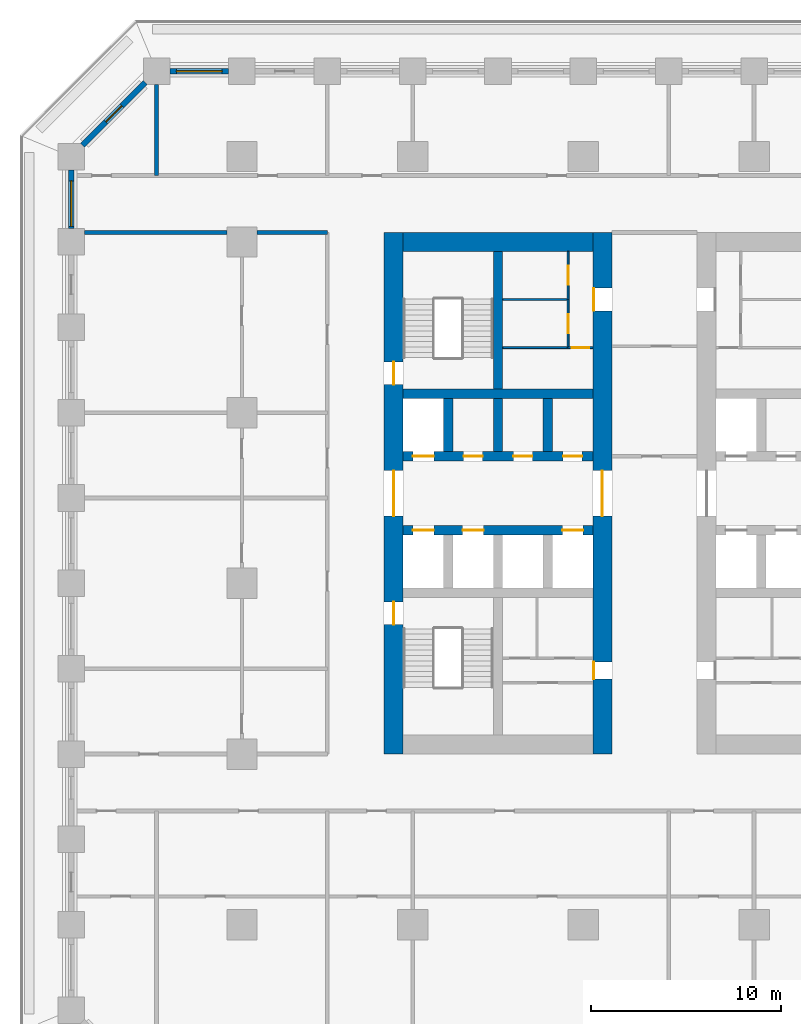
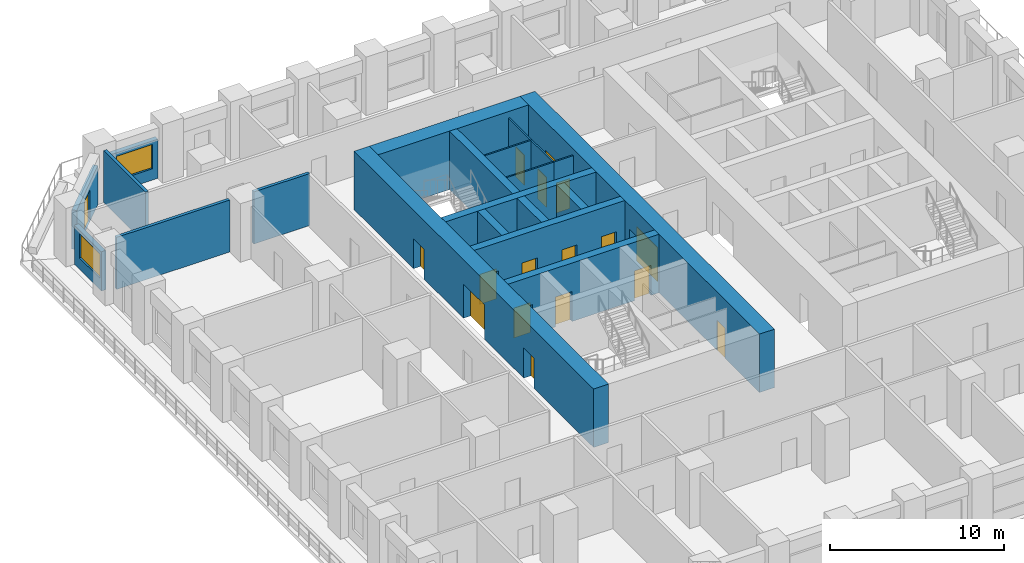
# One storey, part 21 of 30: 21 walls, 17 doors, 2 windows, 19 openings.
"""IFC4 building model written with IfcOpenShell, lengths in metres."""

from ifc_helpers import new_model, si_unit, direction, frame, frame_2d, origin, place, context, subcontext, project, spatial, rectangle, extrude, material, layer, layer_set, type_object, element, fill, save


model = new_model("IFC4")

# Units and contexts
model_context = context("Model", 3, precision=1e-05, world=origin(), true_north=direction((0.0, 1.0)))
body_context = subcontext(model_context, "Body", "Model", "MODEL_VIEW")
ifc_project = project(units=[si_unit("LENGTHUNIT", "METRE"), si_unit("AREAUNIT", "SQUARE_METRE"), si_unit("VOLUMEUNIT", "CUBIC_METRE"), si_unit("PLANEANGLEUNIT", "RADIAN"), si_unit("MASSUNIT", "GRAM", prefix="KILO")], contexts=[model_context])

# Site, building, storey
site_placement = place(None, origin())
site = spatial("IfcSite", under=ifc_project, at=site_placement, CompositionType="ELEMENT")
building_placement = place(site_placement, origin())
building = spatial("IfcBuilding", under=site, at=building_placement, Name="Corbel Stack Research Tower", CompositionType="ELEMENT")
storey_placement = place(building_placement, frame((0.0, 0.0, 19.5)))
storey = spatial("IfcBuildingStorey", under=building, at=storey_placement, Name="L04", CompositionType="ELEMENT", Elevation=19.5)

# Wall, openings, doors
ifc_material_1 = material(Name="Concrete C70/85", Category="concrete")
ifc_layer_1 = layer(ifc_material_1, 1.0)
ifc_layer_set_1 = layer_set([ifc_layer_1], Name="Concrete C70/85")
wall_type_1 = type_object("IfcWallType", Name="CW-1000-70", PredefinedType="SHEAR", material=ifc_layer_set_1)
wall_1_placement = place(storey_placement, frame((-10.0, -9.0, 0.0), z_axis=(0.0, 0.0, 1.0), x_axis=(0.0, 1.0, 0.0)))
wall_1 = element("IfcWall", 1, at=wall_1_placement, inside=storey, type_object=wall_type_1, Name="West core wall, west face L04", PredefinedType="SHEAR", context=body_context, shape_type="SweptSolid", body=[
    extrude(rectangle(XDim=27.5, YDim=1.0, at=frame_2d((13.75, 0.0))), origin(), (0.0, 0.0, 1.0), 4.10009765625),
])
opening_1_placement = place(wall_1_placement, frame((12.550048828125, 0.0, 0.0)))
opening_1 = element("IfcOpeningElement", 2, at=opening_1_placement, cuts=wall_1, Name="Opening CD-W-W", PredefinedType="OPENING", context=body_context, shape_type="SweptSolid", body=[
    extrude(rectangle(XDim=2.39990234375, YDim=2.39990234375, at=frame_2d((1.199951171875, 1.199951171875))), frame((0.0, 0.510009765625, 0.0), z_axis=(0.0, -1.0, 0.0), x_axis=(1.0, 0.0, 0.0)), (0.0, 0.0, 1.0), 1.02001953125),
])
opening_2_placement = place(wall_1_placement, frame((6.824951171875, 0.0, 0.0)))
opening_2 = element("IfcOpeningElement", 3, at=opening_2_placement, cuts=wall_1, Name="Opening SD-ST-W1", PredefinedType="OPENING", context=body_context, shape_type="SweptSolid", body=[
    extrude(rectangle(XDim=1.199951171875, YDim=2.10009765625, at=frame_2d((0.60009765625, 1.050048828125))), frame((0.0, 0.510009765625, 0.0), z_axis=(0.0, -1.0, 0.0), x_axis=(1.0, 0.0, 0.0)), (0.0, 0.0, 1.0), 1.02001953125),
])
opening_3_placement = place(wall_1_placement, frame((19.47509765625, 0.0, 0.0)))
opening_3 = element("IfcOpeningElement", 4, at=opening_3_placement, cuts=wall_1, Name="Opening SD-ST-W2", PredefinedType="OPENING", context=body_context, shape_type="SweptSolid", body=[
    extrude(rectangle(XDim=1.199951171875, YDim=2.10009765625, at=frame_2d((0.60009765625, 1.050048828125))), frame((0.0, 0.510009765625, 0.0), z_axis=(0.0, -1.0, 0.0), x_axis=(1.0, 0.0, 0.0)), (0.0, 0.0, 1.0), 1.02001953125),
])
ifc_material_2 = material(Name="Painted steel fire door", Category="steel")
door_type_1 = type_object("IfcDoorType", Name="Lobby door pair 2400 x 2400 FD30S", OperationType="DOUBLE_DOOR_DOUBLE_SWING", PredefinedType="DOOR", material=ifc_material_2)
door_1_placement = place(opening_1_placement, origin())
door_1 = element("IfcDoor", 5, at=door_1_placement, inside=storey, type_object=door_type_1, Name="Lift lobby door W core W", OperationType="DOUBLE_DOOR_DOUBLE_SWING", OverallHeight=2.39990234375, OverallWidth=2.39990234375, PredefinedType="DOOR", context=body_context, shape_type="SweptSolid", body=[
    extrude(rectangle(XDim=2.39990234375, YDim=2.39990234375, at=frame_2d((1.199951171875, 1.199951171875))), frame((0.0, 0.02490234375, 0.0), z_axis=(0.0, -1.0, 0.0), x_axis=(1.0, 0.0, 0.0)), (0.0, 0.0, 1.0), 0.050048828125),
])
fill(opening_1, door_1)
ifc_material_3 = material(Name="Painted steel fire door", Category="steel")
door_type_2 = type_object("IfcDoorType", Name="Stair door 1200 x 2100 FD90 left hand", OperationType="SINGLE_SWING_LEFT", PredefinedType="DOOR", material=ifc_material_3)
door_2_placement = place(opening_2_placement, origin())
door_2 = element("IfcDoor", 6, at=door_2_placement, inside=storey, type_object=door_type_2, Name="Stair door ST-W1", OperationType="SINGLE_SWING_LEFT", OverallHeight=2.10009765625, OverallWidth=1.199951171875, PredefinedType="DOOR", context=body_context, shape_type="SweptSolid", body=[
    extrude(rectangle(XDim=1.199951171875, YDim=2.10009765625, at=frame_2d((0.60009765625, 1.050048828125))), frame((0.0, 0.02490234375, 0.0), z_axis=(0.0, -1.0, 0.0), x_axis=(1.0, 0.0, 0.0)), (0.0, 0.0, 1.0), 0.050048828125),
])
fill(opening_2, door_2)
door_3_placement = place(opening_3_placement, origin())
door_3 = element("IfcDoor", 7, at=door_3_placement, inside=storey, type_object=door_type_2, Name="Stair door ST-W2", OperationType="SINGLE_SWING_LEFT", OverallHeight=2.10009765625, OverallWidth=1.199951171875, PredefinedType="DOOR", context=body_context, shape_type="SweptSolid", body=[
    extrude(rectangle(XDim=1.199951171875, YDim=2.10009765625, at=frame_2d((0.60009765625, 1.050048828125))), frame((0.0, 0.02490234375, 0.0), z_axis=(0.0, -1.0, 0.0), x_axis=(1.0, 0.0, 0.0)), (0.0, 0.0, 1.0), 0.050048828125),
])
fill(opening_3, door_3)

wall_2_placement = place(storey_placement, frame((1.0, -9.0, 0.0), z_axis=(0.0, 0.0, 1.0), x_axis=(0.0, 1.0, 0.0)))
wall_2 = element("IfcWall", 8, at=wall_2_placement, inside=storey, type_object=wall_type_1, Name="West core wall, east face L04", PredefinedType="SHEAR", context=body_context, shape_type="SweptSolid", body=[
    extrude(rectangle(XDim=27.5, YDim=1.0, at=frame_2d((13.75, 0.0))), origin(), (0.0, 0.0, 1.0), 4.10009765625),
])
opening_4_placement = place(wall_2_placement, frame((12.550048828125, 0.0, 0.0)))
opening_4 = element("IfcOpeningElement", 9, at=opening_4_placement, cuts=wall_2, Name="Opening CD-W-E", PredefinedType="OPENING", context=body_context, shape_type="SweptSolid", body=[
    extrude(rectangle(XDim=2.39990234375, YDim=2.39990234375, at=frame_2d((1.199951171875, 1.199951171875))), frame((0.0, 0.510009765625, 0.0), z_axis=(0.0, -1.0, 0.0), x_axis=(1.0, 0.0, 0.0)), (0.0, 0.0, 1.0), 1.02001953125),
])
opening_5_placement = place(wall_2_placement, frame((3.955078125, 0.0, 0.0)))
opening_5 = element("IfcOpeningElement", 10, at=opening_5_placement, cuts=wall_2, Name="Opening CR-W24-W1-905", PredefinedType="OPENING", context=body_context, shape_type="SweptSolid", body=[
    extrude(rectangle(XDim=0.905029296875, YDim=2.10009765625, at=frame_2d((0.45263671875, 1.050048828125))), frame((0.0, 0.510009765625, 0.0), z_axis=(0.0, -1.0, 0.0), x_axis=(1.0, 0.0, 0.0)), (0.0, 0.0, 1.0), 1.02001953125),
])
opening_6_placement = place(wall_2_placement, frame((23.362548828125, 0.0, 0.0)))
opening_6 = element("IfcOpeningElement", 11, at=opening_6_placement, cuts=wall_2, Name="Opening CR-W24-R2-1200", PredefinedType="OPENING", context=body_context, shape_type="SweptSolid", body=[
    extrude(rectangle(XDim=1.199951171875, YDim=2.10009765625, at=frame_2d((0.60009765625, 1.050048828125))), frame((0.0, 0.510009765625, 0.0), z_axis=(0.0, -1.0, 0.0), x_axis=(1.0, 0.0, 0.0)), (0.0, 0.0, 1.0), 1.02001953125),
])
door_4_placement = place(opening_4_placement, origin())
door_4 = element("IfcDoor", 12, at=door_4_placement, inside=storey, type_object=door_type_1, Name="Lift lobby door W core E", OperationType="DOUBLE_DOOR_DOUBLE_SWING", OverallHeight=2.39990234375, OverallWidth=2.39990234375, PredefinedType="DOOR", context=body_context, shape_type="SweptSolid", body=[
    extrude(rectangle(XDim=2.39990234375, YDim=2.39990234375, at=frame_2d((1.199951171875, 1.199951171875))), frame((0.0, 0.02490234375, 0.0), z_axis=(0.0, -1.0, 0.0), x_axis=(1.0, 0.0, 0.0)), (0.0, 0.0, 1.0), 0.050048828125),
])
fill(opening_4, door_4)
ifc_material_4 = material(Name="Painted steel door", Category="steel")
door_type_3 = type_object("IfcDoorType", Name="Service door 1200 x 2100 FD30 right hand", OperationType="SINGLE_SWING_RIGHT", PredefinedType="DOOR", material=ifc_material_4)
door_5_placement = place(opening_6_placement, origin())
door_5 = element("IfcDoor", 13, at=door_5_placement, inside=storey, type_object=door_type_3, Name="Service passage door W core", OperationType="SINGLE_SWING_RIGHT", OverallHeight=2.10009765625, OverallWidth=1.199951171875, PredefinedType="DOOR", context=body_context, shape_type="SweptSolid", body=[
    extrude(rectangle(XDim=1.199951171875, YDim=2.10009765625, at=frame_2d((0.60009765625, 1.050048828125))), frame((0.0, 0.47509765625, 0.0), z_axis=(0.0, -1.0, 0.0), x_axis=(1.0, 0.0, 0.0)), (0.0, 0.0, 1.0), 0.050048828125),
])
fill(opening_6, door_5)
ifc_material_5 = material(Name="Painted timber door", Category="wood")
door_type_4 = type_object("IfcDoorType", Name="WC door 905 x 2100 left hand", OperationType="SINGLE_SWING_LEFT", PredefinedType="DOOR", material=ifc_material_5)
door_6_placement = place(opening_5_placement, origin())
door_6 = element("IfcDoor", 14, at=door_6_placement, inside=storey, type_object=door_type_4, Name="WC lobby door W core", OperationType="SINGLE_SWING_LEFT", OverallHeight=2.10009765625, OverallWidth=0.905029296875, PredefinedType="DOOR", context=body_context, shape_type="SweptSolid", body=[
    extrude(rectangle(XDim=0.905029296875, YDim=2.10009765625, at=frame_2d((0.45263671875, 1.050048828125))), frame((0.0, 0.47509765625, 0.0), z_axis=(0.0, -1.0, 0.0), x_axis=(1.0, 0.0, 0.0)), (0.0, 0.0, 1.0), 0.050048828125),
])
fill(opening_5, door_6)

# Wall
wall_3_placement = place(storey_placement, frame((-9.5, 18.0, 0.0), z_axis=(0.0, 0.0, 1.0), x_axis=(1.0, 0.0, 0.0)))
element("IfcWall", 15, at=wall_3_placement, inside=storey, type_object=wall_type_1, Name="West core wall, north end L04", PredefinedType="SHEAR", context=body_context, shape_type="SweptSolid", body=[
    extrude(rectangle(XDim=10.0, YDim=1.0, at=frame_2d((5.0, 0.0))), origin(), (0.0, 0.0, 1.0), 4.10009765625),
])

# Wall, openings, doors
ifc_material_6 = material(Name="Concrete C70/85", Category="concrete")
ifc_layer_2 = layer(ifc_material_6, 0.5)
ifc_layer_set_2 = layer_set([ifc_layer_2], Name="Concrete C70/85")
wall_type_2 = type_object("IfcWallType", Name="CW-500-70", PredefinedType="SHEAR", material=ifc_layer_set_2)
wall_4_placement = place(storey_placement, frame((-9.5, 2.800048828125, 0.0), z_axis=(0.0, 0.0, 1.0), x_axis=(1.0, 0.0, 0.0)))
wall_4 = element("IfcWall", 16, at=wall_4_placement, inside=storey, type_object=wall_type_2, Name="West core wall, lobby south L04", PredefinedType="SHEAR", context=body_context, shape_type="SweptSolid", body=[
    extrude(rectangle(XDim=10.0, YDim=0.5, at=frame_2d((5.0, 0.0))), origin(), (0.0, 0.0, 1.0), 4.10009765625),
])
opening_7_placement = place(wall_4_placement, frame((0.512451171875, 0.0, 0.0)))
opening_7 = element("IfcOpeningElement", 17, at=opening_7_placement, cuts=wall_4, Name="Opening LD-FS1", PredefinedType="OPENING", context=body_context, shape_type="SweptSolid", body=[
    extrude(rectangle(XDim=1.10009765625, YDim=2.10009765625, at=frame_2d((0.550048828125, 1.050048828125))), frame((0.0, 0.260009765625, 0.0), z_axis=(0.0, -1.0, 0.0), x_axis=(1.0, 0.0, 0.0)), (0.0, 0.0, 1.0), 0.52001953125),
])
opening_8_placement = place(wall_4_placement, frame((3.137451171875, 0.0, 0.0)))
opening_8 = element("IfcOpeningElement", 18, at=opening_8_placement, cuts=wall_4, Name="Opening LD-GL1", PredefinedType="OPENING", context=body_context, shape_type="SweptSolid", body=[
    extrude(rectangle(XDim=1.10009765625, YDim=2.10009765625, at=frame_2d((0.550048828125, 1.050048828125))), frame((0.0, 0.260009765625, 0.0), z_axis=(0.0, -1.0, 0.0), x_axis=(1.0, 0.0, 0.0)), (0.0, 0.0, 1.0), 0.52001953125),
])
opening_9_placement = place(wall_4_placement, frame((8.387451171875, 0.0, 0.0)))
opening_9 = element("IfcOpeningElement", 19, at=opening_9_placement, cuts=wall_4, Name="Opening LD-LR1", PredefinedType="OPENING", context=body_context, shape_type="SweptSolid", body=[
    extrude(rectangle(XDim=1.10009765625, YDim=2.10009765625, at=frame_2d((0.550048828125, 1.050048828125))), frame((0.0, 0.260009765625, 0.0), z_axis=(0.0, -1.0, 0.0), x_axis=(1.0, 0.0, 0.0)), (0.0, 0.0, 1.0), 0.52001953125),
])
ifc_material_7 = material(Name="Stainless steel landing door", Category="steel")
door_type_5 = type_object("IfcDoorType", Name="Lift landing door 1100 x 2100", OperationType="DOUBLE_DOOR_SLIDING", PredefinedType="DOOR", material=ifc_material_7)
door_7_placement = place(opening_7_placement, origin())
door_7 = element("IfcDoor", 20, at=door_7_placement, inside=storey, type_object=door_type_5, Name="Landing door FS1", OperationType="DOUBLE_DOOR_SLIDING", OverallHeight=2.10009765625, OverallWidth=1.10009765625, PredefinedType="DOOR", context=body_context, shape_type="SweptSolid", body=[
    extrude(rectangle(XDim=1.10009765625, YDim=2.10009765625, at=frame_2d((0.550048828125, 1.050048828125))), frame((0.0, 0.02490234375, 0.0), z_axis=(0.0, -1.0, 0.0), x_axis=(1.0, 0.0, 0.0)), (0.0, 0.0, 1.0), 0.050048828125),
])
fill(opening_7, door_7)
door_8_placement = place(opening_8_placement, origin())
door_8 = element("IfcDoor", 21, at=door_8_placement, inside=storey, type_object=door_type_5, Name="Landing door GL1", OperationType="DOUBLE_DOOR_SLIDING", OverallHeight=2.10009765625, OverallWidth=1.10009765625, PredefinedType="DOOR", context=body_context, shape_type="SweptSolid", body=[
    extrude(rectangle(XDim=1.10009765625, YDim=2.10009765625, at=frame_2d((0.550048828125, 1.050048828125))), frame((0.0, 0.02490234375, 0.0), z_axis=(0.0, -1.0, 0.0), x_axis=(1.0, 0.0, 0.0)), (0.0, 0.0, 1.0), 0.050048828125),
])
fill(opening_8, door_8)
door_9_placement = place(opening_9_placement, origin())
door_9 = element("IfcDoor", 22, at=door_9_placement, inside=storey, type_object=door_type_5, Name="Landing door LR1", OperationType="DOUBLE_DOOR_SLIDING", OverallHeight=2.10009765625, OverallWidth=1.10009765625, PredefinedType="DOOR", context=body_context, shape_type="SweptSolid", body=[
    extrude(rectangle(XDim=1.10009765625, YDim=2.10009765625, at=frame_2d((0.550048828125, 1.050048828125))), frame((0.0, 0.02490234375, 0.0), z_axis=(0.0, -1.0, 0.0), x_axis=(1.0, 0.0, 0.0)), (0.0, 0.0, 1.0), 0.050048828125),
])
fill(opening_9, door_9)

wall_5_placement = place(storey_placement, frame((-9.5, 6.699951171875, 0.0), z_axis=(0.0, 0.0, 1.0), x_axis=(1.0, 0.0, 0.0)))
wall_5 = element("IfcWall", 23, at=wall_5_placement, inside=storey, type_object=wall_type_2, Name="West core wall, lobby north L04", PredefinedType="SHEAR", context=body_context, shape_type="SweptSolid", body=[
    extrude(rectangle(XDim=10.0, YDim=0.5, at=frame_2d((5.0, 0.0))), origin(), (0.0, 0.0, 1.0), 4.10009765625),
])
opening_10_placement = place(wall_5_placement, frame((0.512451171875, 0.0, 0.0)))
opening_10 = element("IfcOpeningElement", 24, at=opening_10_placement, cuts=wall_5, Name="Opening LD-LR2", PredefinedType="OPENING", context=body_context, shape_type="SweptSolid", body=[
    extrude(rectangle(XDim=1.10009765625, YDim=2.10009765625, at=frame_2d((0.550048828125, 1.050048828125))), frame((0.0, 0.260009765625, 0.0), z_axis=(0.0, -1.0, 0.0), x_axis=(1.0, 0.0, 0.0)), (0.0, 0.0, 1.0), 0.52001953125),
])
opening_11_placement = place(wall_5_placement, frame((3.1875, 0.0, 0.0)))
opening_11 = element("IfcOpeningElement", 25, at=opening_11_placement, cuts=wall_5, Name="Opening CR-W24-N2", PredefinedType="OPENING", context=body_context, shape_type="SweptSolid", body=[
    extrude(rectangle(XDim=1.0, YDim=2.10009765625, at=frame_2d((0.5, 1.050048828125))), frame((0.0, 0.260009765625, 0.0), z_axis=(0.0, -1.0, 0.0), x_axis=(1.0, 0.0, 0.0)), (0.0, 0.0, 1.0), 0.52001953125),
])
opening_12_placement = place(wall_5_placement, frame((5.8125, 0.0, 0.0)))
opening_12 = element("IfcOpeningElement", 26, at=opening_12_placement, cuts=wall_5, Name="Opening CR-W24-N3", PredefinedType="OPENING", context=body_context, shape_type="SweptSolid", body=[
    extrude(rectangle(XDim=1.0, YDim=2.10009765625, at=frame_2d((0.5, 1.050048828125))), frame((0.0, 0.260009765625, 0.0), z_axis=(0.0, -1.0, 0.0), x_axis=(1.0, 0.0, 0.0)), (0.0, 0.0, 1.0), 0.52001953125),
])
opening_13_placement = place(wall_5_placement, frame((8.4375, 0.0, 0.0)))
opening_13 = element("IfcOpeningElement", 27, at=opening_13_placement, cuts=wall_5, Name="Opening CR-W24-N4", PredefinedType="OPENING", context=body_context, shape_type="SweptSolid", body=[
    extrude(rectangle(XDim=1.0, YDim=2.10009765625, at=frame_2d((0.5, 1.050048828125))), frame((0.0, 0.260009765625, 0.0), z_axis=(0.0, -1.0, 0.0), x_axis=(1.0, 0.0, 0.0)), (0.0, 0.0, 1.0), 0.52001953125),
])
door_10_placement = place(opening_10_placement, origin())
door_10 = element("IfcDoor", 28, at=door_10_placement, inside=storey, type_object=door_type_5, Name="Landing door LR2", OperationType="DOUBLE_DOOR_SLIDING", OverallHeight=2.10009765625, OverallWidth=1.10009765625, PredefinedType="DOOR", context=body_context, shape_type="SweptSolid", body=[
    extrude(rectangle(XDim=1.10009765625, YDim=2.10009765625, at=frame_2d((0.550048828125, 1.050048828125))), frame((0.0, 0.02490234375, 0.0), z_axis=(0.0, -1.0, 0.0), x_axis=(1.0, 0.0, 0.0)), (0.0, 0.0, 1.0), 0.050048828125),
])
fill(opening_10, door_10)
ifc_material_8 = material(Name="Painted steel door", Category="steel")
door_type_6 = type_object("IfcDoorType", Name="Service door 1000 x 2100 FD60 left hand", OperationType="SINGLE_SWING_LEFT", PredefinedType="DOOR", material=ifc_material_8)
door_11_placement = place(opening_12_placement, origin())
door_11 = element("IfcDoor", 29, at=door_11_placement, inside=storey, type_object=door_type_6, Name="Electrical room door W core", OperationType="SINGLE_SWING_LEFT", OverallHeight=2.10009765625, OverallWidth=1.0, PredefinedType="DOOR", context=body_context, shape_type="SweptSolid", body=[
    extrude(rectangle(XDim=1.0, YDim=2.10009765625, at=frame_2d((0.5, 1.050048828125))), frame((0.0, 0.02490234375, 0.0), z_axis=(0.0, -1.0, 0.0), x_axis=(1.0, 0.0, 0.0)), (0.0, 0.0, 1.0), 0.050048828125),
])
fill(opening_12, door_11)
ifc_material_9 = material(Name="Painted steel door", Category="steel")
door_type_7 = type_object("IfcDoorType", Name="Service door 1000 x 2100 FD60 right hand", OperationType="SINGLE_SWING_RIGHT", PredefinedType="DOOR", material=ifc_material_9)
door_12_placement = place(opening_11_placement, origin())
door_12 = element("IfcDoor", 30, at=door_12_placement, inside=storey, type_object=door_type_7, Name="Records store door W core", OperationType="SINGLE_SWING_RIGHT", OverallHeight=2.10009765625, OverallWidth=1.0, PredefinedType="DOOR", context=body_context, shape_type="SweptSolid", body=[
    extrude(rectangle(XDim=1.0, YDim=2.10009765625, at=frame_2d((0.5, 1.050048828125))), frame((0.0, 0.02490234375, 0.0), z_axis=(0.0, -1.0, 0.0), x_axis=(1.0, 0.0, 0.0)), (0.0, 0.0, 1.0), 0.050048828125),
])
fill(opening_11, door_12)
door_13_placement = place(opening_13_placement, origin())
door_13 = element("IfcDoor", 31, at=door_13_placement, inside=storey, type_object=door_type_7, Name="Pantry door W core", OperationType="SINGLE_SWING_RIGHT", OverallHeight=2.10009765625, OverallWidth=1.0, PredefinedType="DOOR", context=body_context, shape_type="SweptSolid", body=[
    extrude(rectangle(XDim=1.0, YDim=2.10009765625, at=frame_2d((0.5, 1.050048828125))), frame((0.0, 0.02490234375, 0.0), z_axis=(0.0, -1.0, 0.0), x_axis=(1.0, 0.0, 0.0)), (0.0, 0.0, 1.0), 0.050048828125),
])
fill(opening_13, door_13)

# Walls
wall_6_placement = place(storey_placement, frame((-9.5, 10.0, 0.0), z_axis=(0.0, 0.0, 1.0), x_axis=(1.0, 0.0, 0.0)))
element("IfcWall", 32, at=wall_6_placement, inside=storey, type_object=wall_type_2, Name="West core wall, north row back L04", PredefinedType="SHEAR", context=body_context, shape_type="SweptSolid", body=[
    extrude(rectangle(XDim=10.0, YDim=0.5, at=frame_2d((5.0, 0.0))), origin(), (0.0, 0.0, 1.0), 4.10009765625),
])
for number, where, z_axis, x_axis, name in (
    (33, (-7.125, 6.949951171875, 0.0), (0.0, 0.0, 1.0), (0.0, 1.0, 0.0), "West core wall, north shaft 1 L04"),
    (34, (-4.5, 6.949951171875, 0.0), (0.0, 0.0, 1.0), (0.0, 1.0, 0.0), "West core wall, north shaft 2 L04"),
    (35, (-1.875, 6.949951171875, 0.0), (0.0, 0.0, 1.0), (0.0, 1.0, 0.0), "West core wall, north shaft 3 L04"),
):
    element("IfcWall", number, at=place(storey_placement, frame(where, z_axis=z_axis, x_axis=x_axis)), inside=storey, type_object=wall_type_2, Name=name, PredefinedType="SHEAR", context=body_context, shape_type="SweptSolid", body=[
        extrude(rectangle(XDim=2.800048828125, YDim=0.5, at=frame_2d((1.39990234375, 0.0))), origin(), (0.0, 0.0, 1.0), 4.10009765625),
    ])
wall_7_placement = place(storey_placement, frame((-4.5, 10.25, 0.0), z_axis=(0.0, 0.0, 1.0), x_axis=(0.0, 1.0, 0.0)))
element("IfcWall", 36, at=wall_7_placement, inside=storey, type_object=wall_type_2, Name="West core wall, north stair and riser L04", PredefinedType="SHEAR", context=body_context, shape_type="SweptSolid", body=[
    extrude(rectangle(XDim=7.25, YDim=0.5, at=frame_2d((3.625, 0.0))), origin(), (0.0, 0.0, 1.0), 4.10009765625),
])

# Wall, opening, door
ifc_material_10 = material(Name="Gypsum board")
ifc_layer_3 = layer(ifc_material_10, 0.10009765625)
ifc_layer_set_3 = layer_set([ifc_layer_3], Name="Gypsum board")
wall_type_3 = type_object("IfcWallType", Name="Core partition 100", PredefinedType="PARTITIONING", material=ifc_layer_set_3)
wall_8_placement = place(storey_placement, frame((-0.800048828125, 12.425048828125, 0.0), z_axis=(0.0, 0.0, 1.0), x_axis=(1.0, 0.0, 0.0)))
wall_8 = element("IfcWall", 37, at=wall_8_placement, inside=storey, type_object=wall_type_3, Name="Core partition W", PredefinedType="PARTITIONING", context=body_context, shape_type="SweptSolid", body=[
    extrude(rectangle(XDim=1.300048828125, YDim=0.10009765625, at=frame_2d((0.64990234375, 0.0))), origin(), (0.0, 0.0, 1.0), 3.64990234375),
])
opening_14_placement = place(wall_8_placement, frame((0.199951171875, 0.0, 0.0)))
opening_14 = element("IfcOpeningElement", 38, at=opening_14_placement, cuts=wall_8, Name="Opening CR-W24-R1-900", PredefinedType="OPENING", context=body_context, shape_type="SweptSolid", body=[
    extrude(rectangle(XDim=0.89990234375, YDim=2.10009765625, at=frame_2d((0.449951171875, 1.050048828125))), frame((0.0, 0.06005859375, 0.0), z_axis=(0.0, -1.0, 0.0), x_axis=(1.0, 0.0, 0.0)), (0.0, 0.0, 1.0), 0.1201171875),
])
ifc_material_11 = material(Name="Painted steel door", Category="steel")
door_type_8 = type_object("IfcDoorType", Name="Riser door 900 x 2100 FD60 left hand", OperationType="SINGLE_SWING_LEFT", PredefinedType="DOOR", material=ifc_material_11)
door_14_placement = place(opening_14_placement, origin())
door_14 = element("IfcDoor", 39, at=door_14_placement, inside=storey, type_object=door_type_8, Name="Electrical riser door W core", OperationType="SINGLE_SWING_LEFT", OverallHeight=2.10009765625, OverallWidth=0.89990234375, PredefinedType="DOOR", context=body_context, shape_type="SweptSolid", body=[
    extrude(rectangle(XDim=0.89990234375, YDim=2.10009765625, at=frame_2d((0.449951171875, 1.050048828125))), frame((0.0, 0.02490234375, 0.0), z_axis=(0.0, -1.0, 0.0), x_axis=(1.0, 0.0, 0.0)), (0.0, 0.0, 1.0), 0.050048828125),
])
fill(opening_14, door_14)

# Wall
wall_9_placement = place(storey_placement, frame((-4.25, 12.425048828125, 0.0), z_axis=(0.0, 0.0, 1.0), x_axis=(1.0, 0.0, 0.0)))
element("IfcWall", 40, at=wall_9_placement, inside=storey, type_object=wall_type_3, Name="Core partition W", PredefinedType="PARTITIONING", context=body_context, shape_type="SweptSolid", body=[
    extrude(rectangle(XDim=3.449951171875, YDim=0.10009765625, at=frame_2d((1.72509765625, 0.0))), origin(), (0.0, 0.0, 1.0), 3.64990234375),
])

# Wall, opening, door
wall_10_placement = place(storey_placement, frame((-0.800048828125, 12.425048828125, 0.0), z_axis=(0.0, 0.0, 1.0), x_axis=(0.0, 1.0, 0.0)))
wall_10 = element("IfcWall", 41, at=wall_10_placement, inside=storey, type_object=wall_type_3, Name="Core partition W", PredefinedType="PARTITIONING", context=body_context, shape_type="SweptSolid", body=[
    extrude(rectangle(XDim=2.537353515625, YDim=0.10009765625, at=frame_2d((1.2685546875, 0.0))), origin(), (0.0, 0.0, 1.0), 3.64990234375),
])
opening_15_placement = place(wall_10_placement, frame((0.768798828125, 0.0, 0.0)))
opening_15 = element("IfcOpeningElement", 42, at=opening_15_placement, cuts=wall_10, Name="Opening CR-W24-R3-1000", PredefinedType="OPENING", context=body_context, shape_type="SweptSolid", body=[
    extrude(rectangle(XDim=1.0, YDim=2.10009765625, at=frame_2d((0.5, 1.050048828125))), frame((0.0, 0.06005859375, 0.0), z_axis=(0.0, -1.0, 0.0), x_axis=(1.0, 0.0, 0.0)), (0.0, 0.0, 1.0), 0.1201171875),
])
ifc_material_12 = material(Name="Painted steel door", Category="steel")
door_type_9 = type_object("IfcDoorType", Name="Service door 1000 x 2100 FD30 left hand", OperationType="SINGLE_SWING_LEFT", PredefinedType="DOOR", material=ifc_material_12)
door_15_placement = place(opening_15_placement, origin())
door_15 = element("IfcDoor", 43, at=door_15_placement, inside=storey, type_object=door_type_9, Name="Pantry door W core", OperationType="SINGLE_SWING_LEFT", OverallHeight=2.10009765625, OverallWidth=1.0, PredefinedType="DOOR", context=body_context, shape_type="SweptSolid", body=[
    extrude(rectangle(XDim=1.0, YDim=2.10009765625, at=frame_2d((0.5, 1.050048828125))), frame((0.0, 0.02490234375, 0.0), z_axis=(0.0, -1.0, 0.0), x_axis=(1.0, 0.0, 0.0)), (0.0, 0.0, 1.0), 0.050048828125),
])
fill(opening_15, door_15)

wall_11_placement = place(storey_placement, frame((-0.800048828125, 14.96240234375, 0.0), z_axis=(0.0, 0.0, 1.0), x_axis=(0.0, 1.0, 0.0)))
wall_11 = element("IfcWall", 44, at=wall_11_placement, inside=storey, type_object=wall_type_3, Name="Core partition W", PredefinedType="PARTITIONING", context=body_context, shape_type="SweptSolid", body=[
    extrude(rectangle(XDim=2.53759765625, YDim=0.10009765625, at=frame_2d((1.268798828125, 0.0))), origin(), (0.0, 0.0, 1.0), 3.64990234375),
])
opening_16_placement = place(wall_11_placement, frame((0.768798828125, 0.0, 0.0)))
opening_16 = element("IfcOpeningElement", 45, at=opening_16_placement, cuts=wall_11, Name="Opening CR-W24-R4-1000", PredefinedType="OPENING", context=body_context, shape_type="SweptSolid", body=[
    extrude(rectangle(XDim=1.0, YDim=2.10009765625, at=frame_2d((0.5, 1.050048828125))), frame((0.0, 0.06005859375, 0.0), z_axis=(0.0, -1.0, 0.0), x_axis=(1.0, 0.0, 0.0)), (0.0, 0.0, 1.0), 0.1201171875),
])
ifc_material_13 = material(Name="Painted steel door", Category="steel")
door_type_10 = type_object("IfcDoorType", Name="Service door 1000 x 2100 FD30 right hand", OperationType="SINGLE_SWING_RIGHT", PredefinedType="DOOR", material=ifc_material_13)
door_16_placement = place(opening_16_placement, origin())
door_16 = element("IfcDoor", 46, at=door_16_placement, inside=storey, type_object=door_type_10, Name="Copy and supply store door W core", OperationType="SINGLE_SWING_RIGHT", OverallHeight=2.10009765625, OverallWidth=1.0, PredefinedType="DOOR", context=body_context, shape_type="SweptSolid", body=[
    extrude(rectangle(XDim=1.0, YDim=2.10009765625, at=frame_2d((0.5, 1.050048828125))), frame((0.0, 0.02490234375, 0.0), z_axis=(0.0, -1.0, 0.0), x_axis=(1.0, 0.0, 0.0)), (0.0, 0.0, 1.0), 0.050048828125),
])
fill(opening_16, door_16)

# Walls
wall_12_placement = place(storey_placement, frame((-4.25, 14.96240234375, 0.0), z_axis=(0.0, 0.0, 1.0), x_axis=(1.0, 0.0, 0.0)))
element("IfcWall", 47, at=wall_12_placement, inside=storey, type_object=wall_type_3, Name="Core partition W", PredefinedType="PARTITIONING", context=body_context, shape_type="SweptSolid", body=[
    extrude(rectangle(XDim=3.449951171875, YDim=0.10009765625, at=frame_2d((1.72509765625, 0.0))), origin(), (0.0, 0.0, 1.0), 3.64990234375),
])
ifc_material_14 = material(Name="Fire-rated gypsum board partition on steel studs", Category="steel")
ifc_layer_4 = layer(ifc_material_14, 0.199951171875)
ifc_layer_set_4 = layer_set([ifc_layer_4], Name="Fire-rated gypsum board partition on steel studs")
wall_type_4 = type_object("IfcWallType", Name="Fire-rated partition 200 EI 60", PredefinedType="PARTITIONING", material=ifc_layer_set_4)
wall_13_placement = place(storey_placement, frame((-22.5, 21.5, 0.0), z_axis=(0.0, 0.0, 1.0), x_axis=(0.0, 1.0, 0.0)))
element("IfcWall", 48, at=wall_13_placement, inside=storey, type_object=wall_type_4, Name="Partition L04-002", PredefinedType="PARTITIONING", context=body_context, shape_type="SweptSolid", body=[
    extrude(rectangle(XDim=4.800048828125, YDim=0.199951171875, at=frame_2d((2.39990234375, 0.0))), origin(), (0.0, 0.0, 1.0), 3.64990234375),
])
wall_14_placement = place(storey_placement, frame((-26.300048828125, 18.5, 0.0), z_axis=(0.0, 0.0, 1.0), x_axis=(1.0, 0.0, 0.0)))
element("IfcWall", 49, at=wall_14_placement, inside=storey, type_object=wall_type_4, Name="Partition L04-040", PredefinedType="PARTITIONING", context=body_context, shape_type="SweptSolid", body=[
    extrude(rectangle(XDim=7.5, YDim=0.199951171875, at=frame_2d((3.75, 0.0))), origin(), (0.0, 0.0, 1.0), 3.64990234375),
])
wall_15_placement = place(storey_placement, frame((-17.199951171875, 18.5, 0.0), z_axis=(0.0, 0.0, 1.0), x_axis=(1.0, 0.0, 0.0)))
element("IfcWall", 50, at=wall_15_placement, inside=storey, type_object=wall_type_4, Name="Partition L04-041", PredefinedType="PARTITIONING", context=body_context, shape_type="SweptSolid", body=[
    extrude(rectangle(XDim=3.699951171875, YDim=0.199951171875, at=frame_2d((1.85009765625, 0.0))), origin(), (0.0, 0.0, 1.0), 3.64990234375),
])

# Wall, opening, window
ifc_material_15 = material(Name="Concrete C45/55", Category="concrete")
ifc_layer_5 = layer(ifc_material_15, 0.300048828125)
ifc_layer_set_5 = layer_set([ifc_layer_5], Name="Concrete C45/55")
wall_type_5 = type_object("IfcWallType", Name="Terracotta-faced concrete wall 300", PredefinedType="SOLIDWALL", material=ifc_layer_set_5)
wall_16_placement = place(storey_placement, frame((-21.800048828125, 27.0, 0.0), z_axis=(0.0, 0.0, 1.0), x_axis=(1.0, 0.0, 0.0)))
wall_16 = element("IfcWall", 51, at=wall_16_placement, inside=storey, type_object=wall_type_5, Name="Facade wall L04 N10", PredefinedType="SOLIDWALL", context=body_context, shape_type="SweptSolid", body=[
    extrude(rectangle(XDim=3.10009765625, YDim=0.300048828125, at=frame_2d((1.550048828125, 0.0))), origin(), (0.0, 0.0, 1.0), 2.75),
])
opening_17_placement = place(wall_16_placement, frame((0.35009765625, 0.0, 0.800048828125)))
opening_17 = element("IfcOpeningElement", 52, at=opening_17_placement, cuts=wall_16, Name="Opening W1", PredefinedType="OPENING", context=body_context, shape_type="SweptSolid", body=[
    extrude(rectangle(XDim=2.39990234375, YDim=1.699951171875, at=frame_2d((1.199951171875, 0.85009765625))), frame((0.0, 0.159912109375, 0.0), z_axis=(0.0, -1.0, 0.0), x_axis=(1.0, 0.0, 0.0)), (0.0, 0.0, 1.0), 0.320068359375),
])
ifc_material_16 = material(Name="Aluminium frame, clear double glazing", Category="aluminium")
window_type = type_object("IfcWindowType", Name="Window W1 2400 x 1700", PartitioningType="SINGLE_PANEL", PredefinedType="WINDOW", material=ifc_material_16)
window_1_placement = place(opening_17_placement, origin())
window_1 = element("IfcWindow", 53, at=window_1_placement, inside=storey, type_object=window_type, Name="Window W1 L04 N10", OverallHeight=1.699951171875, OverallWidth=2.39990234375, PartitioningType="SINGLE_PANEL", PredefinedType="WINDOW", context=body_context, shape_type="SweptSolid", body=[
    extrude(rectangle(XDim=2.39990234375, YDim=1.699951171875, at=frame_2d((1.199951171875, 0.85009765625))), frame((0.0, 0.030029296875, 0.0), z_axis=(0.0, -1.0, 0.0), x_axis=(1.0, 0.0, 0.0)), (0.0, 0.0, 1.0), 0.06005859375),
])
fill(opening_17, window_1)

# Wall, opening, door
wall_17_placement = place(storey_placement, frame((-26.406005859375, 23.093994140625, 0.0), z_axis=(0.0, 0.0, 1.0), x_axis=(0.707106781187, 0.707106781187, 0.0)))
wall_17 = element("IfcWall", 54, at=wall_17_placement, inside=storey, type_object=wall_type_5, Name="Facade wall L04 NW01", PredefinedType="SOLIDWALL", context=body_context, shape_type="SweptSolid", body=[
    extrude(rectangle(XDim=4.683837890625, YDim=0.300048828125, at=frame_2d((2.341796875, 0.0))), origin(), (0.0, 0.0, 1.0), 2.75),
])
opening_18_placement = place(wall_17_placement, frame((1.741943359375, 0.0, 0.0)))
opening_18 = element("IfcOpeningElement", 55, at=opening_18_placement, cuts=wall_17, Name="Opening L04-B09", PredefinedType="OPENING", context=body_context, shape_type="SweptSolid", body=[
    extrude(rectangle(XDim=1.199951171875, YDim=2.199951171875, at=frame_2d((0.60009765625, 1.10009765625))), frame((0.0, 0.159912109375, 0.0), z_axis=(0.0, -1.0, 0.0), x_axis=(1.0, 0.0, 0.0)), (0.0, 0.0, 1.0), 0.320068359375),
])
ifc_material_17 = material(Name="Aluminium frame, clear double glazing", Category="aluminium")
door_type_11 = type_object("IfcDoorType", Name="Balcony door BD2 1200 x 2200", OperationType="NOTDEFINED", PredefinedType="DOOR", material=ifc_material_17)
door_17_placement = place(opening_18_placement, origin())
door_17 = element("IfcDoor", 56, at=door_17_placement, inside=storey, type_object=door_type_11, Name="Balcony door L04-B09", OperationType="SINGLE_SWING_LEFT", OverallHeight=2.199951171875, OverallWidth=1.199951171875, PredefinedType="DOOR", context=body_context, shape_type="SweptSolid", body=[
    extrude(rectangle(XDim=1.199951171875, YDim=2.199951171875, at=frame_2d((0.60009765625, 1.10009765625))), frame((0.0, 0.02490234375, 0.0), z_axis=(0.0, -1.0, 0.0), x_axis=(1.0, 0.0, 0.0)), (0.0, 0.0, 1.0), 0.050048828125),
])
fill(opening_18, door_17)

# Wall, opening, window
wall_18_placement = place(storey_placement, frame((-27.0, 18.699951171875, 0.0), z_axis=(0.0, 0.0, 1.0), x_axis=(0.0, 1.0, 0.0)))
wall_18 = element("IfcWall", 57, at=wall_18_placement, inside=storey, type_object=wall_type_5, Name="Facade wall L04 W01", PredefinedType="SOLIDWALL", context=body_context, shape_type="SweptSolid", body=[
    extrude(rectangle(XDim=3.10009765625, YDim=0.300048828125, at=frame_2d((1.550048828125, 0.0))), origin(), (0.0, 0.0, 1.0), 2.75),
])
opening_19_placement = place(wall_18_placement, frame((0.125, 0.0, 0.800048828125)))
opening_19 = element("IfcOpeningElement", 58, at=opening_19_placement, cuts=wall_18, Name="Opening W1", PredefinedType="OPENING", context=body_context, shape_type="SweptSolid", body=[
    extrude(rectangle(XDim=2.39990234375, YDim=1.699951171875, at=frame_2d((1.199951171875, 0.85009765625))), frame((0.0, 0.159912109375, 0.0), z_axis=(0.0, -1.0, 0.0), x_axis=(1.0, 0.0, 0.0)), (0.0, 0.0, 1.0), 0.320068359375),
])
window_2_placement = place(opening_19_placement, origin())
window_2 = element("IfcWindow", 59, at=window_2_placement, inside=storey, type_object=window_type, Name="Window W1 L04 W01", OverallHeight=1.699951171875, OverallWidth=2.39990234375, PartitioningType="SINGLE_PANEL", PredefinedType="WINDOW", context=body_context, shape_type="SweptSolid", body=[
    extrude(rectangle(XDim=2.39990234375, YDim=1.699951171875, at=frame_2d((1.199951171875, 0.85009765625))), frame((0.0, 0.030029296875, 0.0), z_axis=(0.0, -1.0, 0.0), x_axis=(1.0, 0.0, 0.0)), (0.0, 0.0, 1.0), 0.06005859375),
])
fill(opening_19, window_2)

save(model, "model.ifc")
